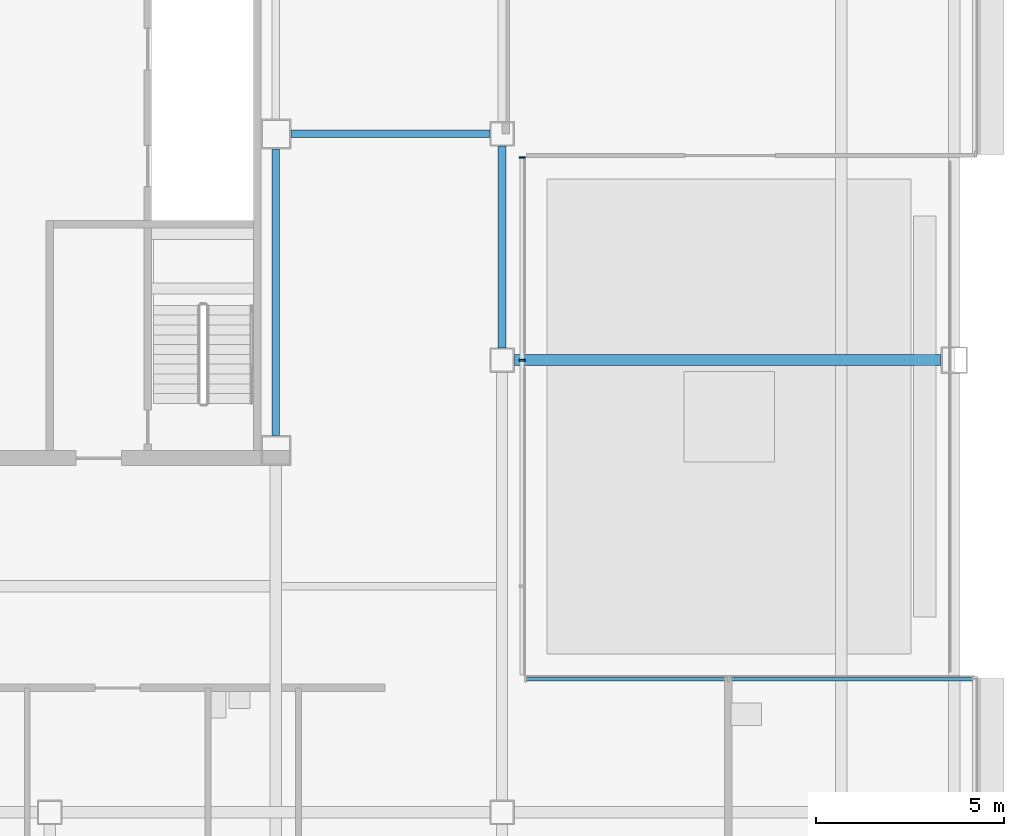
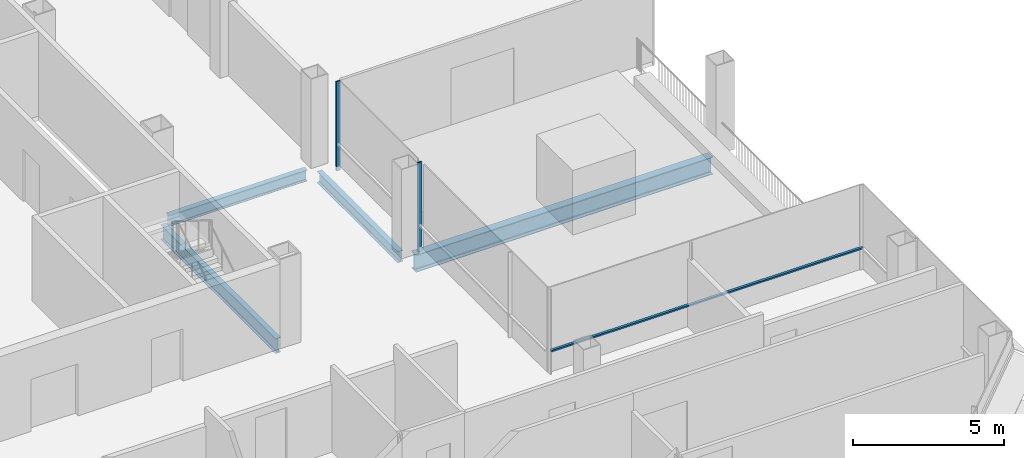
# One storey, part 11 of 27: 4 beams, 3 members, 2 elements without a shape of their own.
"""IFC4 building model written with IfcOpenShell, lengths in metres."""

from ifc_helpers import new_model, si_unit, direction, frame, origin, origin_2d, place, context, subcontext, project, spatial, rectangle, i_section, extrude, material, material_profile, profile_set, type_object, element, aggregate, save


model = new_model("IFC4")

# Units and contexts
model_context = context("Model", 3, precision=1e-05, world=origin(), true_north=direction((0.0, 1.0)))
body_context = subcontext(model_context, "Body", "Model", "MODEL_VIEW")
ifc_project = project(units=[si_unit("LENGTHUNIT", "METRE"), si_unit("AREAUNIT", "SQUARE_METRE"), si_unit("VOLUMEUNIT", "CUBIC_METRE"), si_unit("PLANEANGLEUNIT", "RADIAN"), si_unit("MASSUNIT", "GRAM", prefix="KILO")], contexts=[model_context])

# Site, building, storey
site_placement = place(None, origin())
site = spatial("IfcSite", under=ifc_project, at=site_placement, CompositionType="ELEMENT")
building_placement = place(site_placement, origin())
building = spatial("IfcBuilding", under=site, at=building_placement, Name="Sorahane Residences", CompositionType="ELEMENT")
storey_placement = place(building_placement, frame((0.0, 0.0, 167.199951171875)))
storey = spatial("IfcBuildingStorey", under=building, at=storey_placement, Name="L38", CompositionType="ELEMENT", Elevation=167.199951171875)

# Curtain wall, members
ifc_material_1 = material(Name="Dark low-e glass and black anodised aluminium", Category="aluminium")
curtain_wall_type = type_object("IfcCurtainWallType", Name="Curtain wall CW-1 Typical unitised wall", PredefinedType="NOTDEFINED", material=ifc_material_1)
curtain_wall_1_placement = place(storey_placement, origin())
curtain_wall_1 = element("IfcCurtainWall", 1, at=curtain_wall_1_placement, inside=storey, type_object=curtain_wall_type, Name="CW-1 curtain wall L38 E2", PredefinedType="NOTDEFINED")
ifc_material_2 = material(Name="Black anodised aluminium", Category="aluminium")
ifc_material_profile_1 = material_profile(ifc_material_2, rectangle(XDim=0.159912109375, YDim=0.050048828125, at=origin_2d()), Name="Curtain wall mullion CW-1 black anodised aluminium 50x160")
ifc_profile_set_1 = profile_set([ifc_material_profile_1], Name="Black anodised aluminium")
member_type_1 = type_object("IfcMemberType", Name="Curtain wall mullion CW-1 black anodised aluminium 50x160", PredefinedType="MULLION", material=ifc_profile_set_1)
member_1_placement = place(storey_placement, frame((48.5400390625, 24.0, -0.179931640625), z_axis=(0.0, 0.0, 1.0), x_axis=(1.0, 0.0, 0.0)))
member_1 = element("IfcMember", 2, at=member_1_placement, type_object=member_type_1, Name="CW-1 mullion L38 E2.3", PredefinedType="MULLION", context=body_context, shape_type="SweptSolid", body=[
    extrude(rectangle(XDim=0.159912109375, YDim=0.050048828125, at=origin_2d()), origin(), (0.0, 0.0, 1.0), 3.60009765625),
])
member_2_placement = place(storey_placement, frame((48.5400390625, 29.375, -0.179931640625), z_axis=(0.0, 0.0, 1.0), x_axis=(1.0, 0.0, 0.0)))
member_2 = element("IfcMember", 3, at=member_2_placement, type_object=member_type_1, Name="CW-1 mullion L38 E2.4", PredefinedType="MULLION", context=body_context, shape_type="SweptSolid", body=[
    extrude(rectangle(XDim=0.159912109375, YDim=0.050048828125, at=origin_2d()), origin(), (0.0, 0.0, 1.0), 3.60009765625),
])
aggregate(curtain_wall_1, [member_1, member_2])

# Curtain wall, member
curtain_wall_2_placement = place(storey_placement, origin())
curtain_wall_2 = element("IfcCurtainWall", 4, at=curtain_wall_2_placement, inside=storey, type_object=curtain_wall_type, Name="CW-1 curtain wall L38 N1", PredefinedType="NOTDEFINED")
ifc_material_3 = material(Name="Black anodised aluminium", Category="aluminium")
ifc_material_profile_2 = material_profile(ifc_material_3, rectangle(XDim=0.10009765625, YDim=0.06005859375, at=origin_2d()), Name="Curtain wall transom CW-1 black anodised aluminium 60x100")
ifc_profile_set_2 = profile_set([ifc_material_profile_2], Name="Black anodised aluminium")
member_type_2 = type_object("IfcMemberType", Name="Curtain wall transom CW-1 black anodised aluminium 60x100", PredefinedType="USERDEFINED", material=ifc_profile_set_2)
member_3_placement = place(storey_placement, frame((60.550048828125, 15.530029296875, 0.900146484375), z_axis=(-1.0, 0.0, 0.0), x_axis=(0.0, -1.0, 0.0)))
member_3 = element("IfcMember", 5, at=member_3_placement, type_object=member_type_2, Name="CW-1 transom L38 N1", ObjectType="TRANSOM", PredefinedType="USERDEFINED", context=body_context, shape_type="SweptSolid", body=[
    extrude(rectangle(XDim=0.10009765625, YDim=0.06005859375, at=origin_2d()), origin(), (0.0, 0.0, 1.0), 11.900146484375),
])
aggregate(curtain_wall_2, [member_3])

# Beams
ifc_material_4 = material(Name="Steel Q355B", Category="steel")
ifc_material_profile_3 = material_profile(ifc_material_4, i_section(OverallWidth=0.199951171875, OverallDepth=0.449951171875, WebThickness=0.009033203125, FlangeThickness=0.013916015625, FilletRadius=0.02001953125, at=origin_2d()), Name="HN 450x200x9x14")
ifc_profile_set_3 = profile_set([ifc_material_profile_3], Name="Steel Q355B")
beam_type_1 = type_object("IfcBeamType", Name="Steel floor beam HN 450x200x9x14 Q355B", PredefinedType="BEAM", material=ifc_profile_set_3)
beam_1_placement = place(storey_placement, frame((48.0, 24.324951171875, -0.405029296875), z_axis=(0.0, 1.0, 0.0), x_axis=(-1.0, 0.0, 0.0)))
element("IfcBeam", 6, at=beam_1_placement, inside=storey, type_object=beam_type_1, Name="Beam L38 060", PredefinedType="BEAM", context=body_context, shape_type="SweptSolid", body=[
    extrude(i_section(OverallWidth=0.199951171875, OverallDepth=0.449951171875, WebThickness=0.009033203125, FlangeThickness=0.013916015625, FilletRadius=0.02001953125, at=origin_2d()), origin(), (0.0, 0.0, 1.0), 5.35009765625),
])
beam_2_placement = place(storey_placement, frame((42.39990234375, 30.0, -0.405029296875), z_axis=(1.0, 0.0, 0.0), x_axis=(0.0, 1.0, 0.0)))
element("IfcBeam", 7, at=beam_2_placement, inside=storey, type_object=beam_type_1, Name="Beam L38 084", PredefinedType="BEAM", context=body_context, shape_type="SweptSolid", body=[
    extrude(i_section(OverallWidth=0.199951171875, OverallDepth=0.449951171875, WebThickness=0.009033203125, FlangeThickness=0.013916015625, FilletRadius=0.02001953125, at=origin_2d()), origin(), (0.0, 0.0, 1.0), 5.275146484375),
])
ifc_material_5 = material(Name="Steel Q355B", Category="steel")
ifc_material_profile_4 = material_profile(ifc_material_5, i_section(OverallWidth=0.199951171875, OverallDepth=0.60009765625, WebThickness=0.010986328125, FlangeThickness=0.01708984375, FilletRadius=0.02392578125, at=origin_2d()), Name="HN 600x200x11x17")
ifc_profile_set_4 = profile_set([ifc_material_profile_4], Name="Steel Q355B")
beam_type_2 = type_object("IfcBeamType", Name="Steel floor beam HN 600x200x11x17 Q355B", PredefinedType="BEAM", material=ifc_profile_set_4)
beam_3_placement = place(storey_placement, frame((42.0, 22.0, -0.47998046875), z_axis=(0.0, 1.0, 0.0), x_axis=(-1.0, 0.0, 0.0)))
element("IfcBeam", 8, at=beam_3_placement, inside=storey, type_object=beam_type_2, Name="Beam L38 054", PredefinedType="BEAM", context=body_context, shape_type="SweptSolid", body=[
    extrude(i_section(OverallWidth=0.199951171875, OverallDepth=0.60009765625, WebThickness=0.010986328125, FlangeThickness=0.01708984375, FilletRadius=0.02392578125, at=origin_2d()), origin(), (0.0, 0.0, 1.0), 7.60009765625),
])
ifc_material_6 = material(Name="Steel Q355B", Category="steel")
ifc_material_profile_5 = material_profile(ifc_material_6, i_section(OverallWidth=0.300048828125, OverallDepth=0.699951171875, WebThickness=0.012939453125, FlangeThickness=0.02392578125, FilletRadius=0.028076171875, at=origin_2d()), Name="HN 700x300x13x24")
ifc_profile_set_5 = profile_set([ifc_material_profile_5], Name="Steel Q355B")
beam_type_3 = type_object("IfcBeamType", Name="Steel floor beam HN 700x300x13x24 Q355B", PredefinedType="BEAM", material=ifc_profile_set_5)
beam_4_placement = place(storey_placement, frame((48.324951171875, 24.0, -0.530029296875), z_axis=(1.0, 0.0, 0.0), x_axis=(0.0, 1.0, 0.0)))
element("IfcBeam", 9, at=beam_4_placement, inside=storey, type_object=beam_type_3, Name="Beam L38 012", PredefinedType="BEAM", context=body_context, shape_type="SweptSolid", body=[
    extrude(i_section(OverallWidth=0.300048828125, OverallDepth=0.699951171875, WebThickness=0.012939453125, FlangeThickness=0.02392578125, FilletRadius=0.028076171875, at=origin_2d()), origin(), (0.0, 0.0, 1.0), 11.324951171875),
])

save(model, "model.ifc")
